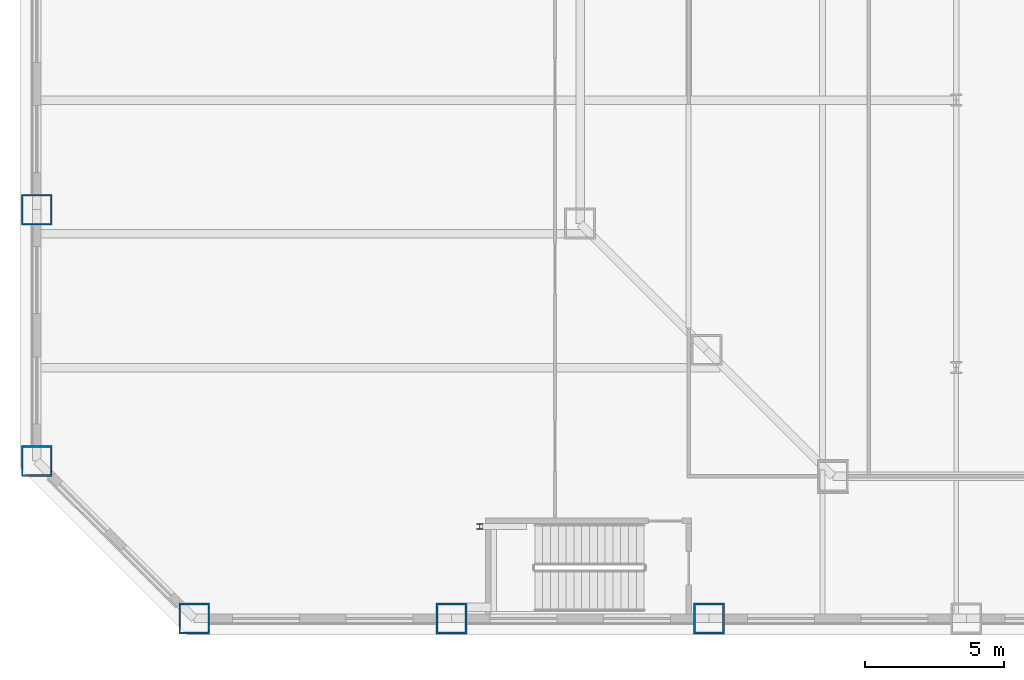
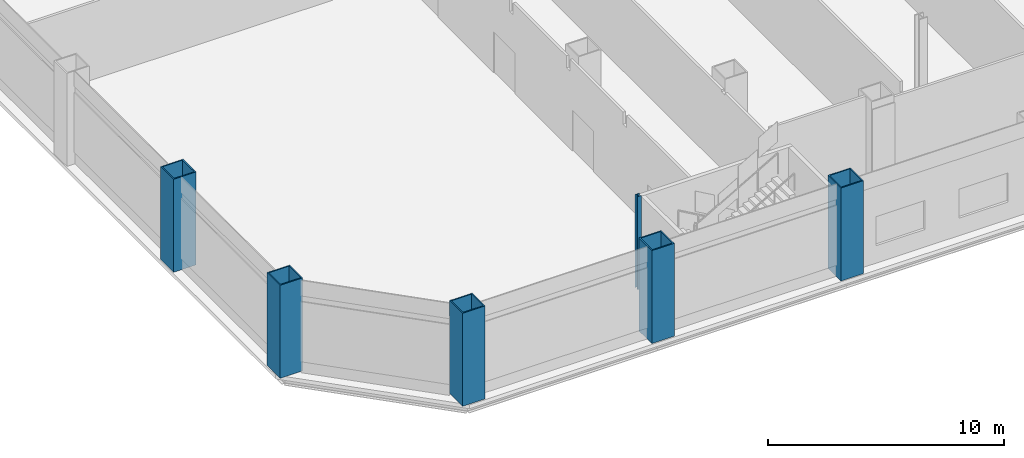
# One storey, part 1 of 26: 6 columns.
"""IFC4 building model written with IfcOpenShell, lengths in metres."""

from ifc_helpers import new_model, si_unit, direction, frame, origin, origin_2d, place, context, subcontext, project, spatial, hollow_rectangle, i_section, extrude, material, material_profile, profile_set, type_object, element, save


model = new_model("IFC4")

# Units and contexts
model_context = context("Model", 3, precision=1e-05, world=origin(), true_north=direction((0.0, 1.0)))
body_context = subcontext(model_context, "Body", "Model", "MODEL_VIEW")
ifc_project = project(units=[si_unit("LENGTHUNIT", "METRE"), si_unit("AREAUNIT", "SQUARE_METRE"), si_unit("VOLUMEUNIT", "CUBIC_METRE"), si_unit("PLANEANGLEUNIT", "RADIAN"), si_unit("MASSUNIT", "GRAM", prefix="KILO")], contexts=[model_context])

# Site, building, storey
site_placement = place(None, origin())
site = spatial("IfcSite", under=ifc_project, at=site_placement, CompositionType="ELEMENT")
building_placement = place(site_placement, origin())
building = spatial("IfcBuilding", under=site, at=building_placement, Name="Cairn Pilgrim Tower", CompositionType="ELEMENT")
storey_placement = place(building_placement, frame((0.0, 0.0, 25.800048828125)))
storey = spatial("IfcBuildingStorey", under=building, at=storey_placement, Name="L04", CompositionType="ELEMENT", Elevation=25.800048828125)

# Columns
ifc_material_1 = material(Name="Structural steel S460M", Category="steel")
ifc_material_profile_1 = material_profile(ifc_material_1, hollow_rectangle(XDim=1.10009765625, YDim=1.10009765625, WallThickness=0.06005859375, at=origin_2d()), Name="BOX 1100x1100x60")
ifc_profile_set_1 = profile_set([ifc_material_profile_1], Name="Structural steel S460M")
column_type_1 = type_object("IfcColumnType", Name="PILOTIS CFT 1100", PredefinedType="COLUMN", material=ifc_profile_set_1)
for number, where, z_axis, x_axis, name in (
    (1, (-41.75146484375, -28.199951171875, 0.0), (0.0, 0.0, 1.0), (1.0, 0.0, 0.0), "PILOTIS PL-S1"),
    (2, (-32.513671875, -28.199951171875, 0.0), (0.0, 0.0, 1.0), (1.0, 0.0, 0.0), "PILOTIS PL-S2"),
    (3, (-23.275634765625, -28.199951171875, 0.0), (0.0, 0.0, 1.0), (1.0, 0.0, 0.0), "PILOTIS PL-S3"),
    (4, (-47.39990234375, -13.531005859375, 0.0), (0.0, 0.0, 1.0), (1.0, 0.0, 0.0), "PILOTIS PL-W5"),
    (5, (-47.39990234375, -22.551513671875, 0.0), (0.0, 0.0, 1.0), (1.0, 0.0, 0.0), "PILOTIS PL-SW1"),
):
    element("IfcColumn", number, at=place(storey_placement, frame(where, z_axis=z_axis, x_axis=x_axis)), inside=storey, type_object=column_type_1, Name=name, PredefinedType="COLUMN", context=body_context, shape_type="SweptSolid", body=[
        extrude(hollow_rectangle(XDim=1.10009765625, YDim=1.10009765625, WallThickness=0.06005859375, at=origin_2d()), origin(), (0.0, 0.0, 1.0), 4.800048828125),
    ])
ifc_material_2 = material(Name="Structural steel S355J2", Category="steel")
ifc_material_profile_2 = material_profile(ifc_material_2, i_section(OverallWidth=0.199951171875, OverallDepth=0.199951171875, WebThickness=0.009033203125, FlangeThickness=0.014892578125, FilletRadius=0.01806640625, at=origin_2d()), Name="HE 200 B")
ifc_profile_set_2 = profile_set([ifc_material_profile_2], Name="Structural steel S355J2")
column_type_2 = type_object("IfcColumnType", Name="STAIR POST HE 200 B", PredefinedType="COLUMN", material=ifc_profile_set_2)
column_placement = place(storey_placement, frame((-31.5, -24.89990234375, 0.0), z_axis=(0.0, 0.0, 1.0), x_axis=(1.0, 0.0, 0.0)))
element("IfcColumn", 6, at=column_placement, inside=storey, type_object=column_type_2, Name="STAIR POST LP-HS-W", PredefinedType="COLUMN", context=body_context, shape_type="SweptSolid", body=[
    extrude(i_section(OverallWidth=0.199951171875, OverallDepth=0.199951171875, WebThickness=0.009033203125, FlangeThickness=0.014892578125, FilletRadius=0.01806640625, at=origin_2d()), origin(), (0.0, 0.0, 1.0), 4.800048828125),
])

save(model, "model.ifc")
